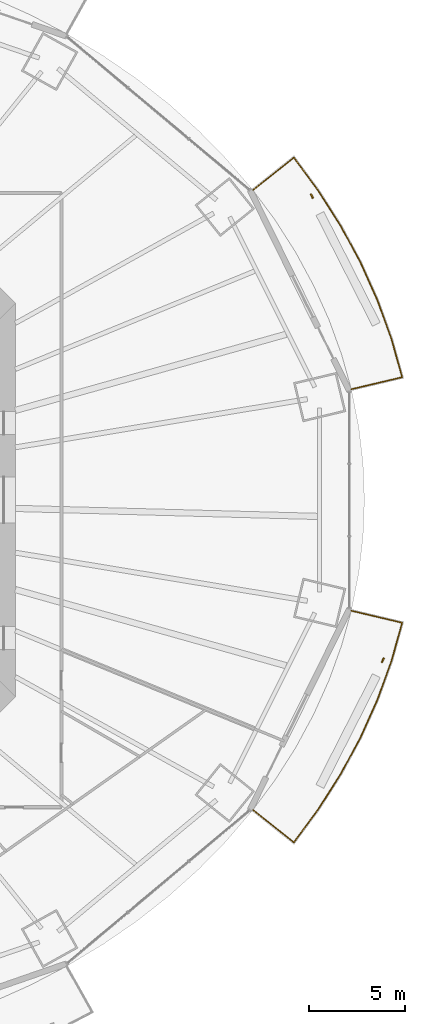
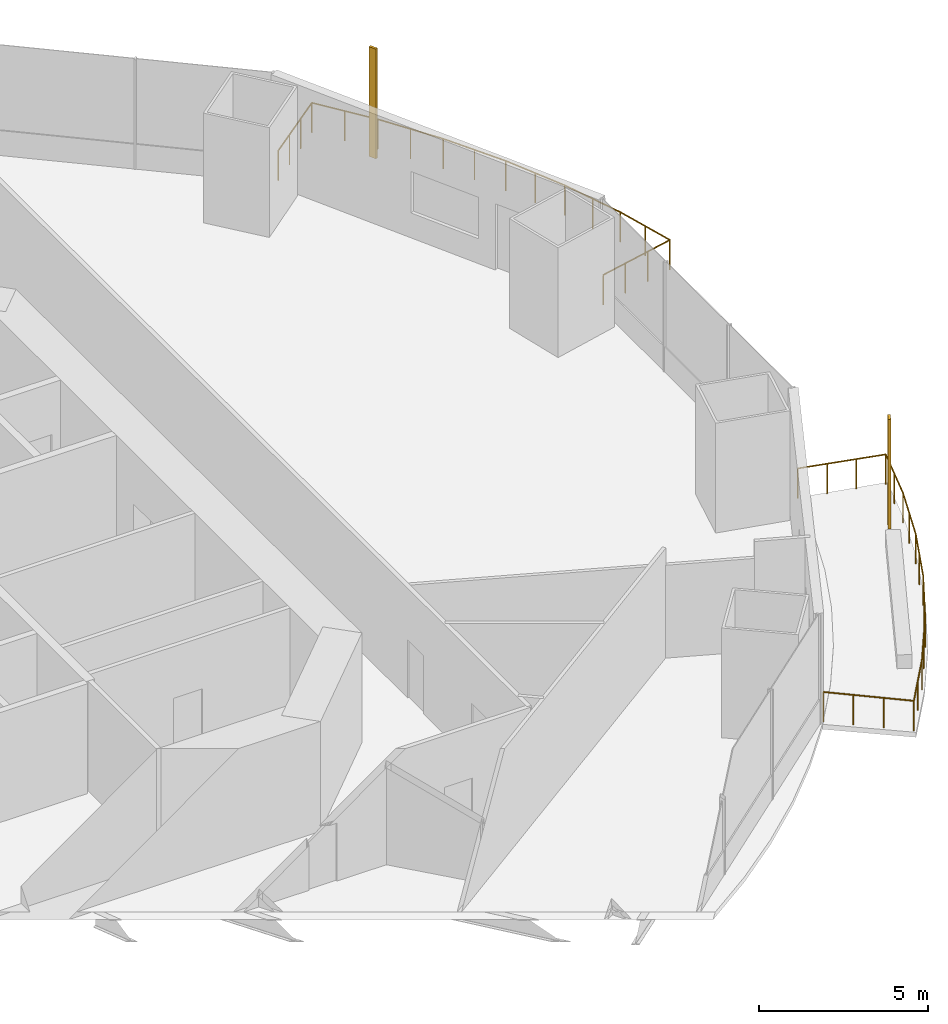
# One storey, part 21 of 22: 2 railings, 2 shading devices.
"""IFC4 building model written with IfcOpenShell, lengths in metres."""

from ifc_helpers import new_model, si_unit, direction, frame, origin, origin_2d, place, context, subcontext, project, spatial, rectangle, circle, extrude, material, material_profile, profile_set, type_object, element, save


model = new_model("IFC4")

# Units and contexts
model_context = context("Model", 3, precision=1e-05, world=origin(), true_north=direction((0.0, 1.0)))
body_context = subcontext(model_context, "Body", "Model", "MODEL_VIEW")
ifc_project = project(units=[si_unit("LENGTHUNIT", "METRE"), si_unit("AREAUNIT", "SQUARE_METRE"), si_unit("VOLUMEUNIT", "CUBIC_METRE"), si_unit("PLANEANGLEUNIT", "RADIAN"), si_unit("MASSUNIT", "GRAM", prefix="KILO")], contexts=[model_context])

# Site, building, storey
site_placement = place(None, origin())
site = spatial("IfcSite", under=ifc_project, at=site_placement, CompositionType="ELEMENT")
building_placement = place(site_placement, origin())
building = spatial("IfcBuilding", under=site, at=building_placement, Name="Marenthal Gate Tower", CompositionType="ELEMENT")
storey_placement = place(building_placement, frame((0.0, 0.0, 95.25)))
storey = spatial("IfcBuildingStorey", under=building, at=storey_placement, Name="L19", CompositionType="ELEMENT", Elevation=95.25)

# Railings
ifc_material_1 = material(Name="Stainless steel", Category="steel")
railing_type = type_object("IfcRailingType", Name="Balcony guard 1100", PredefinedType="GUARDRAIL", material=ifc_material_1)
railing_1_placement = place(storey_placement, frame((28.97509765625, 16.14501953125, 0.0)))
element("IfcRailing", 1, at=railing_1_placement, inside=storey, type_object=railing_type, Name="Balcony guard L19 bay 1", PredefinedType="GUARDRAIL", context=body_context, shape_type="SweptSolid", body=[
    extrude(circle(Radius=0.02392578125, at=origin_2d()), frame((0.0, 0.0, 1.076171875), z_axis=(0.782218085053, 0.62283082954, -0.014718192514), x_axis=(-0.622898300926, 0.782302822892, 0.0)), (0.0, 0.0, 1.0), 2.720458984375),
    extrude(circle(Radius=0.02392578125, at=origin_2d()), frame((2.1279296875, 1.6943359375, 1.0361328125), z_axis=(0.594516836854, -0.804083161556, 0.0), x_axis=(0.804083161556, 0.594516836854, 0.0)), (0.0, 0.0, 1.0), 2.12841796875),
    extrude(circle(Radius=0.02392578125, at=origin_2d()), frame((3.393310546875, -0.01708984375, 1.0361328125), z_axis=(0.537452327695, -0.843294133417, 0.0), x_axis=(0.843294133417, 0.537452327695, 0.0)), (0.0, 0.0, 1.0), 2.1904296875),
    extrude(circle(Radius=0.02392578125, at=origin_2d()), frame((4.570556640625, -1.8642578125, 1.0361328125), z_axis=(0.475284522292, -0.879832156078, 0.0), x_axis=(0.879832156078, 0.475284522292, 0.0)), (0.0, 0.0, 1.0), 2.17431640625),
    extrude(circle(Radius=0.02392578125, at=origin_2d()), frame((5.60400390625, -3.77734375, 1.0361328125), z_axis=(0.409429124113, -0.91234192731, 0.0), x_axis=(0.91234192731, 0.409429124113, 0.0)), (0.0, 0.0, 1.0), 2.15966796875),
    extrude(circle(Radius=0.02392578125, at=origin_2d()), frame((6.48828125, -5.747802734375, 1.0361328125), z_axis=(0.340136081654, -0.940376225751, 0.0), x_axis=(0.940376225751, 0.340136081654, 0.0)), (0.0, 0.0, 1.0), 2.1474609375),
    extrude(circle(Radius=0.02392578125, at=origin_2d()), frame((7.21875, -7.767333984375, 1.0361328125), z_axis=(0.269277750694, -0.963062559225, 0.0), x_axis=(0.963062559225, 0.269277750694, 0.0)), (0.0, 0.0, 1.0), 2.05712890625),
    extrude(circle(Radius=0.02392578125, at=origin_2d()), frame((7.772705078125, -9.74853515625, 1.0361328125), z_axis=(-0.972946801612, -0.230559942195, 0.014718501565), x_axis=(0.230584919848, -0.973052205557, 0.0)), (0.0, 0.0, 1.0), 2.72021484375),
    extrude(circle(Radius=0.02099609375, at=origin_2d()), origin(), (0.0, 0.0, 1.0), 1.052001953125),
    extrude(circle(Radius=0.02099609375, at=origin_2d()), frame((0.709228515625, 0.564697265625, -0.013427734375)), (0.0, 0.0, 1.0), 1.052001953125),
    extrude(circle(Radius=0.02099609375, at=origin_2d()), frame((1.418701171875, 1.129638671875, -0.026611328125)), (0.0, 0.0, 1.0), 1.052001953125),
    extrude(circle(Radius=0.02099609375, at=origin_2d()), frame((2.1279296875, 1.6943359375, -0.0400390625)), (0.0, 0.0, 1.0), 1.052001953125),
    extrude(circle(Radius=0.02099609375, at=origin_2d()), frame((2.7607421875, 0.838623046875, -0.0400390625)), (0.0, 0.0, 1.0), 1.052001953125),
    extrude(circle(Radius=0.02099609375, at=origin_2d()), frame((3.393310546875, -0.01708984375, -0.0400390625)), (0.0, 0.0, 1.0), 1.052001953125),
    extrude(circle(Radius=0.02099609375, at=origin_2d()), frame((3.98193359375, -0.940673828125, -0.0400390625)), (0.0, 0.0, 1.0), 1.052001953125),
    extrude(circle(Radius=0.02099609375, at=origin_2d()), frame((4.570556640625, -1.8642578125, -0.0400390625)), (0.0, 0.0, 1.0), 1.052001953125),
    extrude(circle(Radius=0.02099609375, at=origin_2d()), frame((5.08740234375, -2.82080078125, -0.0400390625)), (0.0, 0.0, 1.0), 1.052001953125),
    extrude(circle(Radius=0.02099609375, at=origin_2d()), frame((5.60400390625, -3.77734375, -0.0400390625)), (0.0, 0.0, 1.0), 1.052001953125),
    extrude(circle(Radius=0.02099609375, at=origin_2d()), frame((6.046142578125, -4.7626953125, -0.0400390625)), (0.0, 0.0, 1.0), 1.052001953125),
    extrude(circle(Radius=0.02099609375, at=origin_2d()), frame((6.48828125, -5.747802734375, -0.0400390625)), (0.0, 0.0, 1.0), 1.052001953125),
    extrude(circle(Radius=0.02099609375, at=origin_2d()), frame((6.853515625, -6.757568359375, -0.0400390625)), (0.0, 0.0, 1.0), 1.052001953125),
    extrude(circle(Radius=0.02099609375, at=origin_2d()), frame((7.21875, -7.767333984375, -0.0400390625)), (0.0, 0.0, 1.0), 1.052001953125),
    extrude(circle(Radius=0.02099609375, at=origin_2d()), frame((7.49560546875, -8.7578125, -0.0400390625)), (0.0, 0.0, 1.0), 1.052001953125),
    extrude(circle(Radius=0.02099609375, at=origin_2d()), frame((7.772705078125, -9.74853515625, -0.0400390625)), (0.0, 0.0, 1.0), 1.052001953125),
    extrude(circle(Radius=0.02099609375, at=origin_2d()), frame((6.890380859375, -9.95751953125, -0.026611328125)), (0.0, 0.0, 1.0), 1.052001953125),
    extrude(circle(Radius=0.02099609375, at=origin_2d()), frame((6.00830078125, -10.166748046875, -0.013427734375)), (0.0, 0.0, 1.0), 1.052001953125),
    extrude(circle(Radius=0.02099609375, at=origin_2d()), frame((5.1259765625, -10.375732421875, 0.0)), (0.0, 0.0, 1.0), 1.052001953125),
])
railing_2_placement = place(storey_placement, frame((34.10107421875, -5.769287109375, 0.0)))
element("IfcRailing", 2, at=railing_2_placement, inside=storey, type_object=railing_type, Name="Balcony guard L19 bay 15", PredefinedType="GUARDRAIL", context=body_context, shape_type="SweptSolid", body=[
    extrude(circle(Radius=0.02392578125, at=origin_2d()), frame((0.0, 0.0, 1.076171875), z_axis=(0.972946801612, -0.230559942195, -0.014718501565), x_axis=(0.230584919848, 0.973052205557, 0.0)), (0.0, 0.0, 1.0), 2.72021484375),
    extrude(circle(Radius=0.02392578125, at=origin_2d()), frame((2.646728515625, -0.627197265625, 1.0361328125), z_axis=(-0.269277750694, -0.963062559225, 0.0), x_axis=(0.963062559225, -0.269277750694, 0.0)), (0.0, 0.0, 1.0), 2.05712890625),
    extrude(circle(Radius=0.02392578125, at=origin_2d()), frame((2.0927734375, -2.6083984375, 1.0361328125), z_axis=(-0.340136081654, -0.940376225751, 0.0), x_axis=(0.940376225751, -0.340136081654, 0.0)), (0.0, 0.0, 1.0), 2.1474609375),
    extrude(circle(Radius=0.02392578125, at=origin_2d()), frame((1.3623046875, -4.6279296875, 1.0361328125), z_axis=(-0.409429124113, -0.91234192731, 0.0), x_axis=(0.91234192731, -0.409429124113, 0.0)), (0.0, 0.0, 1.0), 2.15966796875),
    extrude(circle(Radius=0.02392578125, at=origin_2d()), frame((0.47802734375, -6.598388671875, 1.0361328125), z_axis=(-0.475284522292, -0.879832156078, 0.0), x_axis=(0.879832156078, -0.475284522292, 0.0)), (0.0, 0.0, 1.0), 2.17431640625),
    extrude(circle(Radius=0.02392578125, at=origin_2d()), frame((-0.555419921875, -8.511474609375, 1.0361328125), z_axis=(-0.537452327695, -0.843294133417, 0.0), x_axis=(0.843294133417, -0.537452327695, 0.0)), (0.0, 0.0, 1.0), 2.1904296875),
    extrude(circle(Radius=0.02392578125, at=origin_2d()), frame((-1.732666015625, -10.358642578125, 1.0361328125), z_axis=(-0.594516836854, -0.804083161556, 0.0), x_axis=(0.804083161556, -0.594516836854, 0.0)), (0.0, 0.0, 1.0), 2.12841796875),
    extrude(circle(Radius=0.02392578125, at=origin_2d()), frame((-2.998046875, -12.070068359375, 1.0361328125), z_axis=(-0.782218085053, 0.62283082954, 0.014718192514), x_axis=(-0.622898300926, -0.782302822892, 0.0)), (0.0, 0.0, 1.0), 2.720458984375),
    extrude(circle(Radius=0.02099609375, at=origin_2d()), origin(), (0.0, 0.0, 1.0), 1.052001953125),
    extrude(circle(Radius=0.02099609375, at=origin_2d()), frame((0.88232421875, -0.208984375, -0.013427734375)), (0.0, 0.0, 1.0), 1.052001953125),
    extrude(circle(Radius=0.02099609375, at=origin_2d()), frame((1.764404296875, -0.418212890625, -0.026611328125)), (0.0, 0.0, 1.0), 1.052001953125),
    extrude(circle(Radius=0.02099609375, at=origin_2d()), frame((2.646728515625, -0.627197265625, -0.0400390625)), (0.0, 0.0, 1.0), 1.052001953125),
    extrude(circle(Radius=0.02099609375, at=origin_2d()), frame((2.36962890625, -1.61767578125, -0.0400390625)), (0.0, 0.0, 1.0), 1.052001953125),
    extrude(circle(Radius=0.02099609375, at=origin_2d()), frame((2.0927734375, -2.6083984375, -0.0400390625)), (0.0, 0.0, 1.0), 1.052001953125),
    extrude(circle(Radius=0.02099609375, at=origin_2d()), frame((1.7275390625, -3.6181640625, -0.0400390625)), (0.0, 0.0, 1.0), 1.052001953125),
    extrude(circle(Radius=0.02099609375, at=origin_2d()), frame((1.3623046875, -4.6279296875, -0.0400390625)), (0.0, 0.0, 1.0), 1.052001953125),
    extrude(circle(Radius=0.02099609375, at=origin_2d()), frame((0.920166015625, -5.61328125, -0.0400390625)), (0.0, 0.0, 1.0), 1.052001953125),
    extrude(circle(Radius=0.02099609375, at=origin_2d()), frame((0.47802734375, -6.598388671875, -0.0400390625)), (0.0, 0.0, 1.0), 1.052001953125),
    extrude(circle(Radius=0.02099609375, at=origin_2d()), frame((-0.03857421875, -7.554931640625, -0.0400390625)), (0.0, 0.0, 1.0), 1.052001953125),
    extrude(circle(Radius=0.02099609375, at=origin_2d()), frame((-0.555419921875, -8.511474609375, -0.0400390625)), (0.0, 0.0, 1.0), 1.052001953125),
    extrude(circle(Radius=0.02099609375, at=origin_2d()), frame((-1.14404296875, -9.43505859375, -0.0400390625)), (0.0, 0.0, 1.0), 1.052001953125),
    extrude(circle(Radius=0.02099609375, at=origin_2d()), frame((-1.732666015625, -10.358642578125, -0.0400390625)), (0.0, 0.0, 1.0), 1.052001953125),
    extrude(circle(Radius=0.02099609375, at=origin_2d()), frame((-2.365234375, -11.21435546875, -0.0400390625)), (0.0, 0.0, 1.0), 1.052001953125),
    extrude(circle(Radius=0.02099609375, at=origin_2d()), frame((-2.998046875, -12.070068359375, -0.0400390625)), (0.0, 0.0, 1.0), 1.052001953125),
    extrude(circle(Radius=0.02099609375, at=origin_2d()), frame((-3.707275390625, -11.50537109375, -0.026611328125)), (0.0, 0.0, 1.0), 1.052001953125),
    extrude(circle(Radius=0.02099609375, at=origin_2d()), frame((-4.416748046875, -10.9404296875, -0.013427734375)), (0.0, 0.0, 1.0), 1.052001953125),
    extrude(circle(Radius=0.02099609375, at=origin_2d()), frame((-5.1259765625, -10.375732421875, 0.0)), (0.0, 0.0, 1.0), 1.052001953125),
])

# Shading devices
ifc_material_2 = material(Name="Terracotta", Category="masonry")
ifc_material_profile = material_profile(ifc_material_2, rectangle(XDim=0.25, YDim=0.080078125, at=origin_2d()), Name="Terracotta baguette 250x80")
ifc_profile_set = profile_set([ifc_material_profile], Name="Terracotta")
shading_device_type = type_object("IfcShadingDeviceType", Name="Terracotta BAGUETTE SCREEN 250x80", PredefinedType="USERDEFINED", material=ifc_profile_set)
for number, where, z_axis, x_axis, name in (
    (3, (32.043701171875, 15.835205078125, -0.0400390625), (0.0, 0.0, 1.0), (-0.44279047576, 0.896625113733, 0.0), "Terracotta BAGUETTE L19 bay 1R"),
    (4, (35.7412109375, -8.34765625, -0.0400390625), (0.0, 0.0, 1.0), (0.44279047576, 0.896625113733, 0.0), "Terracotta BAGUETTE L19 bay 15R"),
):
    element("IfcShadingDevice", number, at=place(storey_placement, frame(where, z_axis=z_axis, x_axis=x_axis)), inside=storey, type_object=shading_device_type, Name=name, ObjectType="BAGUETTE SCREEN", PredefinedType="USERDEFINED", context=body_context, shape_type="SweptSolid", body=[
        extrude(rectangle(XDim=0.25, YDim=0.080078125, at=origin_2d()), origin(), (0.0, 0.0, 1.0), 3.969970703125),
    ])

save(model, "model.ifc")
